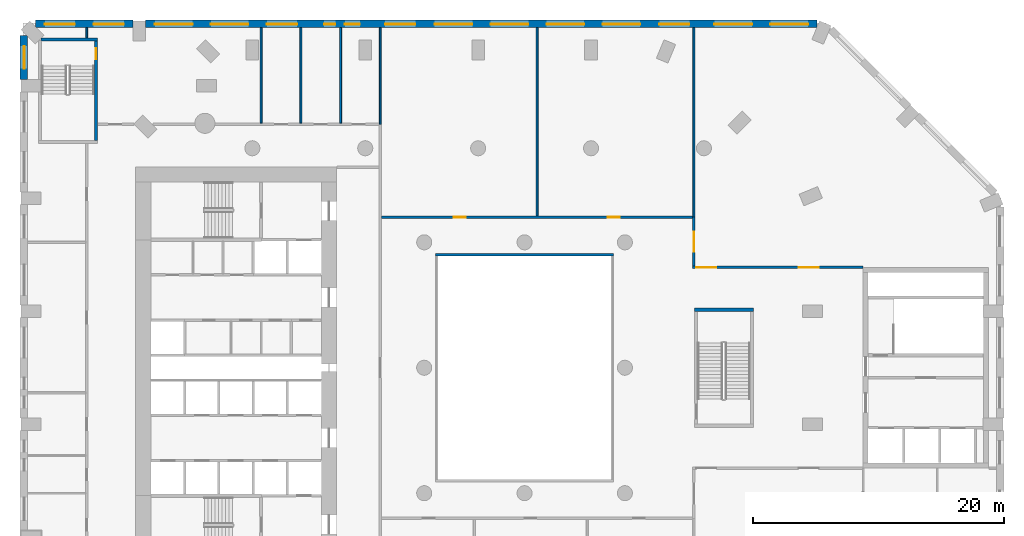
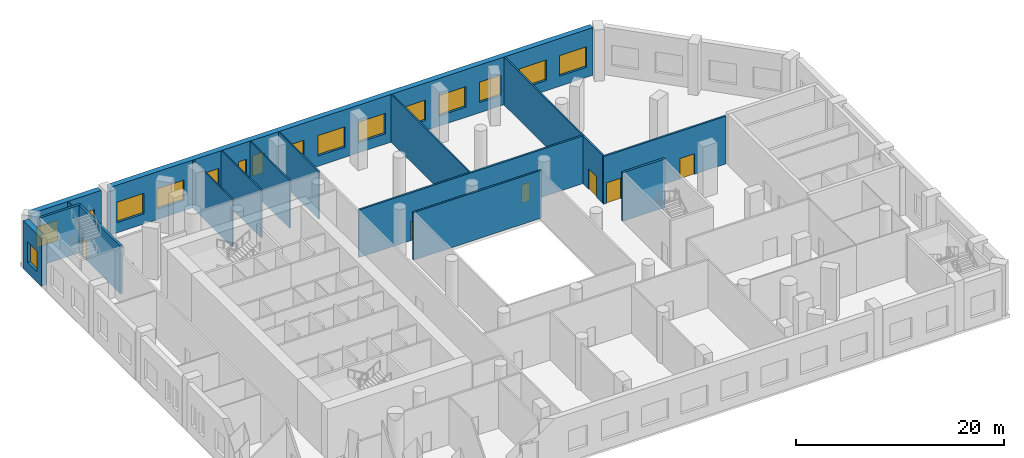
# One storey, part 7 of 19: 17 walls, 16 windows, 6 doors, 22 openings.
"""IFC4 building model written with IfcOpenShell, lengths in metres."""

from ifc_helpers import new_model, si_unit, direction, frame, frame_2d, origin, place, context, subcontext, project, spatial, rectangle, extrude, material, layer, layer_set, type_object, element, fill, save


model = new_model("IFC4")

# Units and contexts
model_context = context("Model", 3, precision=1e-05, world=origin(), true_north=direction((0.0, 1.0)))
body_context = subcontext(model_context, "Body", "Model", "MODEL_VIEW")
ifc_project = project(units=[si_unit("LENGTHUNIT", "METRE"), si_unit("AREAUNIT", "SQUARE_METRE"), si_unit("VOLUMEUNIT", "CUBIC_METRE"), si_unit("PLANEANGLEUNIT", "RADIAN"), si_unit("MASSUNIT", "GRAM", prefix="KILO")], contexts=[model_context])

# Site, building, storey
site_placement = place(None, origin())
site = spatial("IfcSite", under=ifc_project, at=site_placement, CompositionType="ELEMENT")
building_placement = place(site_placement, origin())
building = spatial("IfcBuilding", under=site, at=building_placement, Name="Cypress Arch Tower", CompositionType="ELEMENT")
storey_placement = place(building_placement, frame((0.0, 0.0, 44.0)))
storey = spatial("IfcBuildingStorey", under=building, at=storey_placement, Name="L05", CompositionType="ELEMENT", Elevation=44.0)

# Wall, openings, windows
ifc_material_1 = material(Name="Brick (red buff blend) on blockwork backing", Category="masonry")
ifc_layer_1 = layer(ifc_material_1, 0.60009765625)
ifc_layer_set_1 = layer_set([ifc_layer_1], Name="Brick base wall BW600")
wall_type_1 = type_object("IfcWallType", Name="Brick base wall BW600", PredefinedType="ELEMENTEDWALL", material=ifc_layer_set_1)
wall_1_placement = place(storey_placement, frame((24.33447265625, 27.425048828125, 0.0), z_axis=(0.0, 0.0, 1.0), x_axis=(-1.0, 0.0, 0.0)))
wall_1 = element("IfcWall", 1, at=wall_1_placement, inside=storey, type_object=wall_type_1, Name="Brick wall L05 P03.0", PredefinedType="ELEMENTEDWALL", context=body_context, shape_type="SweptSolid", body=[
    extrude(rectangle(XDim=53.534423828125, YDim=0.60009765625, at=frame_2d((26.76708984375, 0.0))), origin(), (0.0, 0.0, 1.0), 5.595947265625),
])
opening_1_placement = place(wall_1_placement, frame((0.730712890625, 0.0, 1.199951171875)))
opening_1 = element("IfcOpeningElement", 2, at=opening_1_placement, cuts=wall_1, Name="Opening W300P", PredefinedType="OPENING", context=body_context, shape_type="SweptSolid", body=[
    extrude(rectangle(XDim=3.0, YDim=2.39990234375, at=frame_2d((1.5, 1.199951171875))), frame((0.0, 0.31005859375, 0.0), z_axis=(0.0, -1.0, 0.0), x_axis=(1.0, 0.0, 0.0)), (0.0, 0.0, 1.0), 0.6201171875),
])
opening_2_placement = place(wall_1_placement, frame((5.19189453125, 0.0, 1.199951171875)))
opening_2 = element("IfcOpeningElement", 3, at=opening_2_placement, cuts=wall_1, Name="Opening W300P", PredefinedType="OPENING", context=body_context, shape_type="SweptSolid", body=[
    extrude(rectangle(XDim=3.0, YDim=2.39990234375, at=frame_2d((1.5, 1.199951171875))), frame((0.0, 0.31005859375, 0.0), z_axis=(0.0, -1.0, 0.0), x_axis=(1.0, 0.0, 0.0)), (0.0, 0.0, 1.0), 0.6201171875),
])
opening_3_placement = place(wall_1_placement, frame((14.1142578125, 0.0, 1.199951171875)))
opening_3 = element("IfcOpeningElement", 4, at=opening_3_placement, cuts=wall_1, Name="Opening W300P", PredefinedType="OPENING", context=body_context, shape_type="SweptSolid", body=[
    extrude(rectangle(XDim=3.0, YDim=2.39990234375, at=frame_2d((1.5, 1.199951171875))), frame((0.0, 0.31005859375, 0.0), z_axis=(0.0, -1.0, 0.0), x_axis=(1.0, 0.0, 0.0)), (0.0, 0.0, 1.0), 0.6201171875),
])
opening_4_placement = place(wall_1_placement, frame((18.575439453125, 0.0, 1.199951171875)))
opening_4 = element("IfcOpeningElement", 5, at=opening_4_placement, cuts=wall_1, Name="Opening W300P", PredefinedType="OPENING", context=body_context, shape_type="SweptSolid", body=[
    extrude(rectangle(XDim=3.0, YDim=2.39990234375, at=frame_2d((1.5, 1.199951171875))), frame((0.0, 0.31005859375, 0.0), z_axis=(0.0, -1.0, 0.0), x_axis=(1.0, 0.0, 0.0)), (0.0, 0.0, 1.0), 0.6201171875),
])
opening_5_placement = place(wall_1_placement, frame((23.03662109375, 0.0, 1.199951171875)))
opening_5 = element("IfcOpeningElement", 6, at=opening_5_placement, cuts=wall_1, Name="Opening W300P", PredefinedType="OPENING", context=body_context, shape_type="SweptSolid", body=[
    extrude(rectangle(XDim=3.0, YDim=2.39990234375, at=frame_2d((1.5, 1.199951171875))), frame((0.0, 0.31005859375, 0.0), z_axis=(0.0, -1.0, 0.0), x_axis=(1.0, 0.0, 0.0)), (0.0, 0.0, 1.0), 0.6201171875),
])
opening_6_placement = place(wall_1_placement, frame((27.497802734375, 0.0, 1.199951171875)))
opening_6 = element("IfcOpeningElement", 7, at=opening_6_placement, cuts=wall_1, Name="Opening W300P", PredefinedType="OPENING", context=body_context, shape_type="SweptSolid", body=[
    extrude(rectangle(XDim=3.0, YDim=2.39990234375, at=frame_2d((1.5, 1.199951171875))), frame((0.0, 0.31005859375, 0.0), z_axis=(0.0, -1.0, 0.0), x_axis=(1.0, 0.0, 0.0)), (0.0, 0.0, 1.0), 0.6201171875),
])
opening_7_placement = place(wall_1_placement, frame((45.3427734375, 0.0, 1.199951171875)))
opening_7 = element("IfcOpeningElement", 8, at=opening_7_placement, cuts=wall_1, Name="Opening W300P", PredefinedType="OPENING", context=body_context, shape_type="SweptSolid", body=[
    extrude(rectangle(XDim=3.0, YDim=2.39990234375, at=frame_2d((1.5, 1.199951171875))), frame((0.0, 0.31005859375, 0.0), z_axis=(0.0, -1.0, 0.0), x_axis=(1.0, 0.0, 0.0)), (0.0, 0.0, 1.0), 0.6201171875),
])
opening_8_placement = place(wall_1_placement, frame((49.803955078125, 0.0, 1.199951171875)))
opening_8 = element("IfcOpeningElement", 9, at=opening_8_placement, cuts=wall_1, Name="Opening W300P", PredefinedType="OPENING", context=body_context, shape_type="SweptSolid", body=[
    extrude(rectangle(XDim=3.0, YDim=2.39990234375, at=frame_2d((1.5, 1.199951171875))), frame((0.0, 0.31005859375, 0.0), z_axis=(0.0, -1.0, 0.0), x_axis=(1.0, 0.0, 0.0)), (0.0, 0.0, 1.0), 0.6201171875),
])
opening_9_placement = place(wall_1_placement, frame((10.19384765625, 0.0, 1.199951171875)))
opening_9 = element("IfcOpeningElement", 10, at=opening_9_placement, cuts=wall_1, Name="Opening W240P", PredefinedType="OPENING", context=body_context, shape_type="SweptSolid", body=[
    extrude(rectangle(XDim=2.39990234375, YDim=2.39990234375, at=frame_2d((1.199951171875, 1.199951171875))), frame((0.0, 0.31005859375, 0.0), z_axis=(0.0, -1.0, 0.0), x_axis=(1.0, 0.0, 0.0)), (0.0, 0.0, 1.0), 0.6201171875),
])
opening_10_placement = place(wall_1_placement, frame((32.046875, 0.0, 1.199951171875)))
opening_10 = element("IfcOpeningElement", 11, at=opening_10_placement, cuts=wall_1, Name="Opening W240P", PredefinedType="OPENING", context=body_context, shape_type="SweptSolid", body=[
    extrude(rectangle(XDim=2.39990234375, YDim=2.39990234375, at=frame_2d((1.199951171875, 1.199951171875))), frame((0.0, 0.31005859375, 0.0), z_axis=(0.0, -1.0, 0.0), x_axis=(1.0, 0.0, 0.0)), (0.0, 0.0, 1.0), 0.6201171875),
])
opening_11_placement = place(wall_1_placement, frame((36.460693359375, 0.0, 1.199951171875)))
opening_11 = element("IfcOpeningElement", 12, at=opening_11_placement, cuts=wall_1, Name="Opening W120P", PredefinedType="OPENING", context=body_context, shape_type="SweptSolid", body=[
    extrude(rectangle(XDim=1.199951171875, YDim=2.39990234375, at=frame_2d((0.60009765625, 1.199951171875))), frame((0.0, 0.31005859375, 0.0), z_axis=(0.0, -1.0, 0.0), x_axis=(1.0, 0.0, 0.0)), (0.0, 0.0, 1.0), 0.6201171875),
])
opening_12_placement = place(wall_1_placement, frame((38.41064453125, 0.0, 1.199951171875)))
opening_12 = element("IfcOpeningElement", 13, at=opening_12_placement, cuts=wall_1, Name="Opening W090P", PredefinedType="OPENING", context=body_context, shape_type="SweptSolid", body=[
    extrude(rectangle(XDim=0.89990234375, YDim=2.39990234375, at=frame_2d((0.449951171875, 1.199951171875))), frame((0.0, 0.31005859375, 0.0), z_axis=(0.0, -1.0, 0.0), x_axis=(1.0, 0.0, 0.0)), (0.0, 0.0, 1.0), 0.6201171875),
])
opening_13_placement = place(wall_1_placement, frame((41.474609375, 0.0, 1.199951171875)))
opening_13 = element("IfcOpeningElement", 14, at=opening_13_placement, cuts=wall_1, Name="Opening W240P", PredefinedType="OPENING", context=body_context, shape_type="SweptSolid", body=[
    extrude(rectangle(XDim=2.39990234375, YDim=2.39990234375, at=frame_2d((1.199951171875, 1.199951171875))), frame((0.0, 0.31005859375, 0.0), z_axis=(0.0, -1.0, 0.0), x_axis=(1.0, 0.0, 0.0)), (0.0, 0.0, 1.0), 0.6201171875),
])
ifc_material_2 = material(Name="Anodised aluminium, bronze finish, clear low-emissivity double glazing", Category="aluminium")
window_type_1 = type_object("IfcWindowType", Name="Window Podium 1200x2400", PartitioningType="SINGLE_PANEL", PredefinedType="WINDOW", material=ifc_material_2)
window_1_placement = place(opening_11_placement, origin())
window_1 = element("IfcWindow", 15, at=window_1_placement, inside=storey, type_object=window_type_1, Name="Window L05 P03.0.9", OverallHeight=2.39990234375, OverallWidth=1.199951171875, PartitioningType="SINGLE_PANEL", PredefinedType="WINDOW", context=body_context, shape_type="SweptSolid", body=[
    extrude(rectangle(XDim=1.199951171875, YDim=2.39990234375, at=frame_2d((0.60009765625, 1.199951171875))), frame((0.0, 0.06005859375, 0.0), z_axis=(0.0, -1.0, 0.0), x_axis=(1.0, 0.0, 0.0)), (0.0, 0.0, 1.0), 0.06005859375),
])
fill(opening_11, window_1)
ifc_material_3 = material(Name="Anodised aluminium, bronze finish, clear low-emissivity double glazing", Category="aluminium")
window_type_2 = type_object("IfcWindowType", Name="Window Podium 2400x2400", PartitioningType="SINGLE_PANEL", PredefinedType="WINDOW", material=ifc_material_3)
window_2_placement = place(opening_9_placement, origin())
window_2 = element("IfcWindow", 16, at=window_2_placement, inside=storey, type_object=window_type_2, Name="Window L05 P03.0.3", OverallHeight=2.39990234375, OverallWidth=2.39990234375, PartitioningType="SINGLE_PANEL", PredefinedType="WINDOW", context=body_context, shape_type="SweptSolid", body=[
    extrude(rectangle(XDim=2.39990234375, YDim=2.39990234375, at=frame_2d((1.199951171875, 1.199951171875))), frame((0.0, 0.06005859375, 0.0), z_axis=(0.0, -1.0, 0.0), x_axis=(1.0, 0.0, 0.0)), (0.0, 0.0, 1.0), 0.06005859375),
])
fill(opening_9, window_2)
window_3_placement = place(opening_10_placement, origin())
window_3 = element("IfcWindow", 17, at=window_3_placement, inside=storey, type_object=window_type_2, Name="Window L05 P03.0.8", OverallHeight=2.39990234375, OverallWidth=2.39990234375, PartitioningType="SINGLE_PANEL", PredefinedType="WINDOW", context=body_context, shape_type="SweptSolid", body=[
    extrude(rectangle(XDim=2.39990234375, YDim=2.39990234375, at=frame_2d((1.199951171875, 1.199951171875))), frame((0.0, 0.06005859375, 0.0), z_axis=(0.0, -1.0, 0.0), x_axis=(1.0, 0.0, 0.0)), (0.0, 0.0, 1.0), 0.06005859375),
])
fill(opening_10, window_3)
window_4_placement = place(opening_13_placement, origin())
window_4 = element("IfcWindow", 18, at=window_4_placement, inside=storey, type_object=window_type_2, Name="Window L05 P03.0.10", OverallHeight=2.39990234375, OverallWidth=2.39990234375, PartitioningType="SINGLE_PANEL", PredefinedType="WINDOW", context=body_context, shape_type="SweptSolid", body=[
    extrude(rectangle(XDim=2.39990234375, YDim=2.39990234375, at=frame_2d((1.199951171875, 1.199951171875))), frame((0.0, 0.06005859375, 0.0), z_axis=(0.0, -1.0, 0.0), x_axis=(1.0, 0.0, 0.0)), (0.0, 0.0, 1.0), 0.06005859375),
])
fill(opening_13, window_4)
ifc_material_4 = material(Name="Anodised aluminium, bronze finish, clear low-emissivity double glazing", Category="aluminium")
window_type_3 = type_object("IfcWindowType", Name="Window Podium 3000x2400", PartitioningType="SINGLE_PANEL", PredefinedType="WINDOW", material=ifc_material_4)
window_5_placement = place(opening_1_placement, origin())
window_5 = element("IfcWindow", 19, at=window_5_placement, inside=storey, type_object=window_type_3, Name="Window L05 P03.0.1", OverallHeight=2.39990234375, OverallWidth=3.0, PartitioningType="SINGLE_PANEL", PredefinedType="WINDOW", context=body_context, shape_type="SweptSolid", body=[
    extrude(rectangle(XDim=3.0, YDim=2.39990234375, at=frame_2d((1.5, 1.199951171875))), frame((0.0, 0.06005859375, 0.0), z_axis=(0.0, -1.0, 0.0), x_axis=(1.0, 0.0, 0.0)), (0.0, 0.0, 1.0), 0.06005859375),
])
fill(opening_1, window_5)
window_6_placement = place(opening_2_placement, origin())
window_6 = element("IfcWindow", 20, at=window_6_placement, inside=storey, type_object=window_type_3, Name="Window L05 P03.0.2", OverallHeight=2.39990234375, OverallWidth=3.0, PartitioningType="SINGLE_PANEL", PredefinedType="WINDOW", context=body_context, shape_type="SweptSolid", body=[
    extrude(rectangle(XDim=3.0, YDim=2.39990234375, at=frame_2d((1.5, 1.199951171875))), frame((0.0, 0.06005859375, 0.0), z_axis=(0.0, -1.0, 0.0), x_axis=(1.0, 0.0, 0.0)), (0.0, 0.0, 1.0), 0.06005859375),
])
fill(opening_2, window_6)
window_7_placement = place(opening_3_placement, origin())
window_7 = element("IfcWindow", 21, at=window_7_placement, inside=storey, type_object=window_type_3, Name="Window L05 P03.0.4", OverallHeight=2.39990234375, OverallWidth=3.0, PartitioningType="SINGLE_PANEL", PredefinedType="WINDOW", context=body_context, shape_type="SweptSolid", body=[
    extrude(rectangle(XDim=3.0, YDim=2.39990234375, at=frame_2d((1.5, 1.199951171875))), frame((0.0, 0.06005859375, 0.0), z_axis=(0.0, -1.0, 0.0), x_axis=(1.0, 0.0, 0.0)), (0.0, 0.0, 1.0), 0.06005859375),
])
fill(opening_3, window_7)
window_8_placement = place(opening_4_placement, origin())
window_8 = element("IfcWindow", 22, at=window_8_placement, inside=storey, type_object=window_type_3, Name="Window L05 P03.0.5", OverallHeight=2.39990234375, OverallWidth=3.0, PartitioningType="SINGLE_PANEL", PredefinedType="WINDOW", context=body_context, shape_type="SweptSolid", body=[
    extrude(rectangle(XDim=3.0, YDim=2.39990234375, at=frame_2d((1.5, 1.199951171875))), frame((0.0, 0.06005859375, 0.0), z_axis=(0.0, -1.0, 0.0), x_axis=(1.0, 0.0, 0.0)), (0.0, 0.0, 1.0), 0.06005859375),
])
fill(opening_4, window_8)
window_9_placement = place(opening_5_placement, origin())
window_9 = element("IfcWindow", 23, at=window_9_placement, inside=storey, type_object=window_type_3, Name="Window L05 P03.0.6", OverallHeight=2.39990234375, OverallWidth=3.0, PartitioningType="SINGLE_PANEL", PredefinedType="WINDOW", context=body_context, shape_type="SweptSolid", body=[
    extrude(rectangle(XDim=3.0, YDim=2.39990234375, at=frame_2d((1.5, 1.199951171875))), frame((0.0, 0.06005859375, 0.0), z_axis=(0.0, -1.0, 0.0), x_axis=(1.0, 0.0, 0.0)), (0.0, 0.0, 1.0), 0.06005859375),
])
fill(opening_5, window_9)
window_10_placement = place(opening_6_placement, origin())
window_10 = element("IfcWindow", 24, at=window_10_placement, inside=storey, type_object=window_type_3, Name="Window L05 P03.0.7", OverallHeight=2.39990234375, OverallWidth=3.0, PartitioningType="SINGLE_PANEL", PredefinedType="WINDOW", context=body_context, shape_type="SweptSolid", body=[
    extrude(rectangle(XDim=3.0, YDim=2.39990234375, at=frame_2d((1.5, 1.199951171875))), frame((0.0, 0.06005859375, 0.0), z_axis=(0.0, -1.0, 0.0), x_axis=(1.0, 0.0, 0.0)), (0.0, 0.0, 1.0), 0.06005859375),
])
fill(opening_6, window_10)
window_11_placement = place(opening_7_placement, origin())
window_11 = element("IfcWindow", 25, at=window_11_placement, inside=storey, type_object=window_type_3, Name="Window L05 P03.0.11", OverallHeight=2.39990234375, OverallWidth=3.0, PartitioningType="SINGLE_PANEL", PredefinedType="WINDOW", context=body_context, shape_type="SweptSolid", body=[
    extrude(rectangle(XDim=3.0, YDim=2.39990234375, at=frame_2d((1.5, 1.199951171875))), frame((0.0, 0.06005859375, 0.0), z_axis=(0.0, -1.0, 0.0), x_axis=(1.0, 0.0, 0.0)), (0.0, 0.0, 1.0), 0.06005859375),
])
fill(opening_7, window_11)
window_12_placement = place(opening_8_placement, origin())
window_12 = element("IfcWindow", 26, at=window_12_placement, inside=storey, type_object=window_type_3, Name="Window L05 P03.0.12", OverallHeight=2.39990234375, OverallWidth=3.0, PartitioningType="SINGLE_PANEL", PredefinedType="WINDOW", context=body_context, shape_type="SweptSolid", body=[
    extrude(rectangle(XDim=3.0, YDim=2.39990234375, at=frame_2d((1.5, 1.199951171875))), frame((0.0, 0.06005859375, 0.0), z_axis=(0.0, -1.0, 0.0), x_axis=(1.0, 0.0, 0.0)), (0.0, 0.0, 1.0), 0.06005859375),
])
fill(opening_8, window_12)
ifc_material_5 = material(Name="Anodised aluminium, bronze finish, clear low-emissivity double glazing", Category="aluminium")
window_type_4 = type_object("IfcWindowType", Name="Window Podium 900x2400", PartitioningType="SINGLE_PANEL", PredefinedType="WINDOW", material=ifc_material_5)
window_13_placement = place(opening_12_placement, origin())
window_13 = element("IfcWindow", 27, at=window_13_placement, inside=storey, type_object=window_type_4, Name="Window L05 P03.0.9b", OverallHeight=2.39990234375, OverallWidth=0.89990234375, PartitioningType="SINGLE_PANEL", PredefinedType="WINDOW", context=body_context, shape_type="SweptSolid", body=[
    extrude(rectangle(XDim=0.89990234375, YDim=2.39990234375, at=frame_2d((0.449951171875, 1.199951171875))), frame((0.0, 0.06005859375, 0.0), z_axis=(0.0, -1.0, 0.0), x_axis=(1.0, 0.0, 0.0)), (0.0, 0.0, 1.0), 0.06005859375),
])
fill(opening_12, window_13)

wall_2_placement = place(storey_placement, frame((-30.199951171875, 27.425048828125, 0.0), z_axis=(0.0, 0.0, 1.0), x_axis=(-1.0, 0.0, 0.0)))
wall_2 = element("IfcWall", 28, at=wall_2_placement, inside=storey, type_object=wall_type_1, Name="Brick wall L05 P03.6", PredefinedType="ELEMENTEDWALL", context=body_context, shape_type="SweptSolid", body=[
    extrude(rectangle(XDim=7.79296875, YDim=0.60009765625, at=frame_2d((3.896484375, 0.0))), origin(), (0.0, 0.0, 1.0), 5.595947265625),
])
opening_14_placement = place(wall_2_placement, frame((0.748291015625, 0.0, 1.199951171875)))
opening_14 = element("IfcOpeningElement", 29, at=opening_14_placement, cuts=wall_2, Name="Opening W240P", PredefinedType="OPENING", context=body_context, shape_type="SweptSolid", body=[
    extrude(rectangle(XDim=2.39990234375, YDim=2.39990234375, at=frame_2d((1.199951171875, 1.199951171875))), frame((0.0, 0.31005859375, 0.0), z_axis=(0.0, -1.0, 0.0), x_axis=(1.0, 0.0, 0.0)), (0.0, 0.0, 1.0), 0.6201171875),
])
opening_15_placement = place(wall_2_placement, frame((4.644775390625, 0.0, 1.199951171875)))
opening_15 = element("IfcOpeningElement", 30, at=opening_15_placement, cuts=wall_2, Name="Opening W240P", PredefinedType="OPENING", context=body_context, shape_type="SweptSolid", body=[
    extrude(rectangle(XDim=2.39990234375, YDim=2.39990234375, at=frame_2d((1.199951171875, 1.199951171875))), frame((0.0, 0.31005859375, 0.0), z_axis=(0.0, -1.0, 0.0), x_axis=(1.0, 0.0, 0.0)), (0.0, 0.0, 1.0), 0.6201171875),
])
window_14_placement = place(opening_14_placement, origin())
window_14 = element("IfcWindow", 31, at=window_14_placement, inside=storey, type_object=window_type_2, Name="Window L05 P03.6.1", OverallHeight=2.39990234375, OverallWidth=2.39990234375, PartitioningType="SINGLE_PANEL", PredefinedType="WINDOW", context=body_context, shape_type="SweptSolid", body=[
    extrude(rectangle(XDim=2.39990234375, YDim=2.39990234375, at=frame_2d((1.199951171875, 1.199951171875))), frame((0.0, 0.06005859375, 0.0), z_axis=(0.0, -1.0, 0.0), x_axis=(1.0, 0.0, 0.0)), (0.0, 0.0, 1.0), 0.06005859375),
])
fill(opening_14, window_14)
window_15_placement = place(opening_15_placement, origin())
window_15 = element("IfcWindow", 32, at=window_15_placement, inside=storey, type_object=window_type_2, Name="Window L05 P03.6.2", OverallHeight=2.39990234375, OverallWidth=2.39990234375, PartitioningType="SINGLE_PANEL", PredefinedType="WINDOW", context=body_context, shape_type="SweptSolid", body=[
    extrude(rectangle(XDim=2.39990234375, YDim=2.39990234375, at=frame_2d((1.199951171875, 1.199951171875))), frame((0.0, 0.06005859375, 0.0), z_axis=(0.0, -1.0, 0.0), x_axis=(1.0, 0.0, 0.0)), (0.0, 0.0, 1.0), 0.06005859375),
])
fill(opening_15, window_15)

# Wall, opening, window
wall_3_placement = place(storey_placement, frame((-38.925048828125, 26.492919921875, 0.0), z_axis=(0.0, 0.0, 1.0), x_axis=(0.0, -1.0, 0.0)))
wall_3 = element("IfcWall", 33, at=wall_3_placement, inside=storey, type_object=wall_type_1, Name="Brick wall L05 P04.0", PredefinedType="ELEMENTEDWALL", context=body_context, shape_type="SweptSolid", body=[
    extrude(rectangle(XDim=3.492919921875, YDim=0.60009765625, at=frame_2d((1.74658203125, 0.0))), origin(), (0.0, 0.0, 1.0), 5.595947265625),
])
opening_16_placement = place(wall_3_placement, frame((0.846435546875, 0.0, 1.199951171875)))
opening_16 = element("IfcOpeningElement", 34, at=opening_16_placement, cuts=wall_3, Name="Opening W180P", PredefinedType="OPENING", context=body_context, shape_type="SweptSolid", body=[
    extrude(rectangle(XDim=1.800048828125, YDim=2.39990234375, at=frame_2d((0.89990234375, 1.199951171875))), frame((0.0, 0.31005859375, 0.0), z_axis=(0.0, -1.0, 0.0), x_axis=(1.0, 0.0, 0.0)), (0.0, 0.0, 1.0), 0.6201171875),
])
ifc_material_6 = material(Name="Anodised aluminium, bronze finish, clear low-emissivity double glazing", Category="aluminium")
window_type_5 = type_object("IfcWindowType", Name="Window Podium 1800x2400", PartitioningType="SINGLE_PANEL", PredefinedType="WINDOW", material=ifc_material_6)
window_16_placement = place(opening_16_placement, origin())
window_16 = element("IfcWindow", 35, at=window_16_placement, inside=storey, type_object=window_type_5, Name="Window L05 P04.0.1", OverallHeight=2.39990234375, OverallWidth=1.800048828125, PartitioningType="SINGLE_PANEL", PredefinedType="WINDOW", context=body_context, shape_type="SweptSolid", body=[
    extrude(rectangle(XDim=1.800048828125, YDim=2.39990234375, at=frame_2d((0.89990234375, 1.199951171875))), frame((0.0, 0.06005859375, 0.0), z_axis=(0.0, -1.0, 0.0), x_axis=(1.0, 0.0, 0.0)), (0.0, 0.0, 1.0), 0.06005859375),
])
fill(opening_16, window_16)

# Wall, openings, doors
ifc_material_7 = material(Name="Concrete blockwork, plastered, rated", Category="masonry")
ifc_layer_2 = layer(ifc_material_7, 0.199951171875)
ifc_layer_set_2 = layer_set([ifc_layer_2], Name="Corridor wall FW200")
wall_type_2 = type_object("IfcWallType", Name="Corridor wall FW200", PredefinedType="PARTITIONING", material=ifc_layer_set_2)
wall_4_placement = place(storey_placement, frame((-10.39990234375, 12.0, 0.0), z_axis=(0.0, 0.0, 1.0), x_axis=(1.0, 0.0, 0.0)))
wall_4 = element("IfcWall", 36, at=wall_4_placement, inside=storey, type_object=wall_type_2, Name="Corridor wall", PredefinedType="PARTITIONING", context=body_context, shape_type="SweptSolid", body=[
    extrude(rectangle(XDim=24.7998046875, YDim=0.199951171875, at=frame_2d((12.39990234375, 0.0))), origin(), (0.0, 0.0, 1.0), 5.595947265625),
])
opening_17_placement = place(wall_4_placement, frame((5.75, 0.0, 0.0)))
opening_17 = element("IfcOpeningElement", 37, at=opening_17_placement, cuts=wall_4, Name="Opening D02", PredefinedType="OPENING", context=body_context, shape_type="SweptSolid", body=[
    extrude(rectangle(XDim=0.949951171875, YDim=2.199951171875, at=frame_2d((0.47509765625, 1.10009765625))), frame((0.0, 0.10986328125, 0.0), z_axis=(0.0, -1.0, 0.0), x_axis=(1.0, 0.0, 0.0)), (0.0, 0.0, 1.0), 0.219970703125),
])
opening_18_placement = place(wall_4_placement, frame((18.050048828125, 0.0, 0.0)))
opening_18 = element("IfcOpeningElement", 38, at=opening_18_placement, cuts=wall_4, Name="Opening D02", PredefinedType="OPENING", context=body_context, shape_type="SweptSolid", body=[
    extrude(rectangle(XDim=0.949951171875, YDim=2.199951171875, at=frame_2d((0.47509765625, 1.10009765625))), frame((0.0, 0.10986328125, 0.0), z_axis=(0.0, -1.0, 0.0), x_axis=(1.0, 0.0, 0.0)), (0.0, 0.0, 1.0), 0.219970703125),
])
ifc_material_8 = material(Name="Timber flush door, fire resisting", Category="wood")
door_type_1 = type_object("IfcDoorType", Name="Room door D02 950x2200", OperationType="SINGLE_SWING_LEFT", PredefinedType="DOOR", material=ifc_material_8)
door_1_placement = place(opening_17_placement, origin())
door_1 = element("IfcDoor", 39, at=door_1_placement, inside=storey, type_object=door_type_1, Name="Room door", OperationType="SINGLE_SWING_LEFT", OverallHeight=2.199951171875, OverallWidth=0.949951171875, PredefinedType="DOOR", context=body_context, shape_type="SweptSolid", body=[
    extrude(rectangle(XDim=0.949951171875, YDim=2.199951171875, at=frame_2d((0.47509765625, 1.10009765625))), frame((0.0, 0.02490234375, 0.0), z_axis=(0.0, -1.0, 0.0), x_axis=(1.0, 0.0, 0.0)), (0.0, 0.0, 1.0), 0.050048828125),
])
fill(opening_17, door_1)
door_2_placement = place(opening_18_placement, origin())
door_2 = element("IfcDoor", 40, at=door_2_placement, inside=storey, type_object=door_type_1, Name="Room door", OperationType="SINGLE_SWING_RIGHT", OverallHeight=2.199951171875, OverallWidth=0.949951171875, PredefinedType="DOOR", context=body_context, shape_type="SweptSolid", body=[
    extrude(rectangle(XDim=0.949951171875, YDim=2.199951171875, at=frame_2d((0.47509765625, 1.10009765625))), frame((0.0, 0.02490234375, 0.0), z_axis=(0.0, -1.0, 0.0), x_axis=(1.0, 0.0, 0.0)), (0.0, 0.0, 1.0), 0.050048828125),
])
fill(opening_18, door_2)

# Wall
wall_5_placement = place(storey_placement, frame((-6.10009765625, 9.0, 0.0), z_axis=(0.0, 0.0, 1.0), x_axis=(1.0, 0.0, 0.0)))
element("IfcWall", 41, at=wall_5_placement, inside=storey, type_object=wall_type_2, Name="Corridor wall", PredefinedType="PARTITIONING", context=body_context, shape_type="SweptSolid", body=[
    extrude(rectangle(XDim=14.2001953125, YDim=0.199951171875, at=frame_2d((7.10009765625, 0.0))), origin(), (0.0, 0.0, 1.0), 5.595947265625),
])

# Wall, opening, door
wall_6_placement = place(storey_placement, frame((14.5, 8.10009765625, 0.0), z_axis=(0.0, 0.0, 1.0), x_axis=(0.0, 1.0, 0.0)))
wall_6 = element("IfcWall", 42, at=wall_6_placement, inside=storey, type_object=wall_type_2, Name="Corridor wall", PredefinedType="PARTITIONING", context=body_context, shape_type="SweptSolid", body=[
    extrude(rectangle(XDim=3.89990234375, YDim=0.199951171875, at=frame_2d((1.949951171875, 0.0))), origin(), (0.0, 0.0, 1.0), 5.595947265625),
])
opening_19_placement = place(wall_6_placement, frame((1.14990234375, 0.0, 0.0)))
opening_19 = element("IfcOpeningElement", 43, at=opening_19_placement, cuts=wall_6, Name="Opening D10", PredefinedType="OPENING", context=body_context, shape_type="SweptSolid", body=[
    extrude(rectangle(XDim=1.60009765625, YDim=2.39990234375, at=frame_2d((0.800048828125, 1.199951171875))), frame((0.0, 0.10986328125, 0.0), z_axis=(0.0, -1.0, 0.0), x_axis=(1.0, 0.0, 0.0)), (0.0, 0.0, 1.0), 0.219970703125),
])
ifc_material_9 = material(Name="Black aluminium glazed door", Category="aluminium")
door_type_2 = type_object("IfcDoorType", Name="Amenity door D10 1600x2400", OperationType="DOUBLE_DOOR_SINGLE_SWING", PredefinedType="DOOR", material=ifc_material_9)
door_3_placement = place(opening_19_placement, origin())
door_3 = element("IfcDoor", 44, at=door_3_placement, inside=storey, type_object=door_type_2, Name="Amenity door", OperationType="DOUBLE_DOOR_SINGLE_SWING", OverallHeight=2.39990234375, OverallWidth=1.60009765625, PredefinedType="DOOR", context=body_context, shape_type="SweptSolid", body=[
    extrude(rectangle(XDim=1.60009765625, YDim=2.39990234375, at=frame_2d((0.800048828125, 1.199951171875))), frame((0.0, 0.02490234375, 0.0), z_axis=(0.0, -1.0, 0.0), x_axis=(1.0, 0.0, 0.0)), (0.0, 0.0, 1.0), 0.050048828125),
])
fill(opening_19, door_3)

# Wall, openings, doors
wall_7_placement = place(storey_placement, frame((14.39990234375, 8.0, 0.0), z_axis=(0.0, 0.0, 1.0), x_axis=(1.0, 0.0, 0.0)))
wall_7 = element("IfcWall", 45, at=wall_7_placement, inside=storey, type_object=wall_type_2, Name="Corridor wall", PredefinedType="PARTITIONING", context=body_context, shape_type="SweptSolid", body=[
    extrude(rectangle(XDim=13.570068359375, YDim=0.199951171875, at=frame_2d((6.78515625, 0.0))), origin(), (0.0, 0.0, 1.0), 5.595947265625),
])
opening_20_placement = place(wall_7_placement, frame((0.300048828125, 0.0, 0.0)))
opening_20 = element("IfcOpeningElement", 46, at=opening_20_placement, cuts=wall_7, Name="Opening D10", PredefinedType="OPENING", context=body_context, shape_type="SweptSolid", body=[
    extrude(rectangle(XDim=1.60009765625, YDim=2.39990234375, at=frame_2d((0.800048828125, 1.199951171875))), frame((0.0, 0.10986328125, 0.0), z_axis=(0.0, -1.0, 0.0), x_axis=(1.0, 0.0, 0.0)), (0.0, 0.0, 1.0), 0.219970703125),
])
opening_21_placement = place(wall_7_placement, frame((8.449951171875, 0.0, 0.0)))
opening_21 = element("IfcOpeningElement", 47, at=opening_21_placement, cuts=wall_7, Name="Opening D10", PredefinedType="OPENING", context=body_context, shape_type="SweptSolid", body=[
    extrude(rectangle(XDim=1.60009765625, YDim=2.39990234375, at=frame_2d((0.800048828125, 1.199951171875))), frame((0.0, 0.10986328125, 0.0), z_axis=(0.0, -1.0, 0.0), x_axis=(1.0, 0.0, 0.0)), (0.0, 0.0, 1.0), 0.219970703125),
])
door_4_placement = place(opening_20_placement, origin())
door_4 = element("IfcDoor", 48, at=door_4_placement, inside=storey, type_object=door_type_2, Name="Amenity door", OperationType="DOUBLE_DOOR_SINGLE_SWING", OverallHeight=2.39990234375, OverallWidth=1.60009765625, PredefinedType="DOOR", context=body_context, shape_type="SweptSolid", body=[
    extrude(rectangle(XDim=1.60009765625, YDim=2.39990234375, at=frame_2d((0.800048828125, 1.199951171875))), frame((0.0, 0.02490234375, 0.0), z_axis=(0.0, -1.0, 0.0), x_axis=(1.0, 0.0, 0.0)), (0.0, 0.0, 1.0), 0.050048828125),
])
fill(opening_20, door_4)
door_5_placement = place(opening_21_placement, origin())
door_5 = element("IfcDoor", 49, at=door_5_placement, inside=storey, type_object=door_type_2, Name="Amenity door", OperationType="DOUBLE_DOOR_SINGLE_SWING", OverallHeight=2.39990234375, OverallWidth=1.60009765625, PredefinedType="DOOR", context=body_context, shape_type="SweptSolid", body=[
    extrude(rectangle(XDim=1.60009765625, YDim=2.39990234375, at=frame_2d((0.800048828125, 1.199951171875))), frame((0.0, 0.02490234375, 0.0), z_axis=(0.0, -1.0, 0.0), x_axis=(1.0, 0.0, 0.0)), (0.0, 0.0, 1.0), 0.050048828125),
])
fill(opening_21, door_5)

# Walls
ifc_material_10 = material(Name="Blockwork, plastered both sides", Category="masonry")
ifc_layer_3 = layer(ifc_material_10, 0.14990234375)
ifc_layer_set_3 = layer_set([ifc_layer_3], Name="Partition PW150")
wall_type_3 = type_object("IfcWallType", Name="Partition PW150", PredefinedType="PARTITIONING", material=ifc_layer_set_3)
wall_8_placement = place(storey_placement, frame((-33.89990234375, 26.300048828125, 0.0), z_axis=(0.0, 0.0, 1.0), x_axis=(0.0, 1.0, 0.0)))
element("IfcWall", 50, at=wall_8_placement, inside=storey, type_object=wall_type_3, Name="Partition", PredefinedType="PARTITIONING", context=body_context, shape_type="SweptSolid", body=[
    extrude(rectangle(XDim=0.824951171875, YDim=0.14990234375, at=frame_2d((0.41259765625, 0.0))), origin(), (0.0, 0.0, 1.0), 5.595947265625),
])
for number, where, z_axis, x_axis, name in (
    (51, (-20.0, 19.5, 0.0), (0.0, 0.0, 1.0), (0.0, 1.0, 0.0), "Partition"),
    (52, (-16.833251953125, 19.5, 0.0), (0.0, 0.0, 1.0), (0.0, 1.0, 0.0), "Partition"),
    (53, (-13.666748046875, 19.5, 0.0), (0.0, 0.0, 1.0), (0.0, 1.0, 0.0), "Partition"),
):
    element("IfcWall", number, at=place(storey_placement, frame(where, z_axis=z_axis, x_axis=x_axis)), inside=storey, type_object=wall_type_3, Name=name, PredefinedType="PARTITIONING", context=body_context, shape_type="SweptSolid", body=[
        extrude(rectangle(XDim=7.625, YDim=0.14990234375, at=frame_2d((3.8125, 0.0))), origin(), (0.0, 0.0, 1.0), 5.595947265625),
    ])
wall_9_placement = place(storey_placement, frame((-10.5, 19.39990234375, 0.0), z_axis=(0.0, 0.0, 1.0), x_axis=(0.0, 1.0, 0.0)))
element("IfcWall", 54, at=wall_9_placement, inside=storey, type_object=wall_type_3, Name="Partition", PredefinedType="PARTITIONING", context=body_context, shape_type="SweptSolid", body=[
    extrude(rectangle(XDim=7.72509765625, YDim=0.14990234375, at=frame_2d((3.862548828125, 0.0))), origin(), (0.0, 0.0, 1.0), 5.595947265625),
])
wall_10_placement = place(storey_placement, frame((2.0, 12.10009765625, 0.0), z_axis=(0.0, 0.0, 1.0), x_axis=(0.0, 1.0, 0.0)))
element("IfcWall", 55, at=wall_10_placement, inside=storey, type_object=wall_type_3, Name="Partition", PredefinedType="PARTITIONING", context=body_context, shape_type="SweptSolid", body=[
    extrude(rectangle(XDim=15.02490234375, YDim=0.14990234375, at=frame_2d((7.512451171875, 0.0))), origin(), (0.0, 0.0, 1.0), 5.595947265625),
])
wall_11_placement = place(storey_placement, frame((14.5, 12.0, 0.0), z_axis=(0.0, 0.0, 1.0), x_axis=(0.0, 1.0, 0.0)))
element("IfcWall", 56, at=wall_11_placement, inside=storey, type_object=wall_type_3, Name="Partition", PredefinedType="PARTITIONING", context=body_context, shape_type="SweptSolid", body=[
    extrude(rectangle(XDim=15.125, YDim=0.14990234375, at=frame_2d((7.5625, 0.0))), origin(), (0.0, 0.0, 1.0), 5.595947265625),
])
ifc_material_11 = material(Name="Concrete C50/60", Category="concrete")
ifc_layer_4 = layer(ifc_material_11, 0.25)
ifc_layer_set_4 = layer_set([ifc_layer_4], Name="Stair enclosure wall SW250")
wall_type_4 = type_object("IfcWallType", Name="Stair enclosure wall SW250", PredefinedType="SHEAR", material=ifc_layer_set_4)
wall_12_placement = place(storey_placement, frame((-37.545166015625, 26.175048828125, 0.0), z_axis=(0.0, 0.0, 1.0), x_axis=(1.0, 0.0, 0.0)))
element("IfcWall", 57, at=wall_12_placement, inside=storey, type_object=wall_type_4, Name="Stair enclosure wall", PredefinedType="SHEAR", context=body_context, shape_type="SweptSolid", body=[
    extrude(rectangle(XDim=4.4951171875, YDim=0.25, at=frame_2d((2.24755859375, 0.0))), origin(), (0.0, 0.0, 1.0), 5.595947265625),
])

# Wall, opening, door
wall_13_placement = place(storey_placement, frame((-33.175048828125, 18.1298828125, 0.0), z_axis=(0.0, 0.0, 1.0), x_axis=(0.0, 1.0, 0.0)))
wall_13 = element("IfcWall", 58, at=wall_13_placement, inside=storey, type_object=wall_type_4, Name="Stair enclosure wall", PredefinedType="SHEAR", context=body_context, shape_type="SweptSolid", body=[
    extrude(rectangle(XDim=7.920166015625, YDim=0.25, at=frame_2d((3.9599609375, 0.0))), origin(), (0.0, 0.0, 1.0), 5.595947265625),
])
opening_22_placement = place(wall_13_placement, frame((6.449951171875, 0.0, 0.0)))
opening_22 = element("IfcOpeningElement", 59, at=opening_22_placement, cuts=wall_13, Name="Opening D15", PredefinedType="OPENING", context=body_context, shape_type="SweptSolid", body=[
    extrude(rectangle(XDim=0.89990234375, YDim=2.199951171875, at=frame_2d((0.449951171875, 1.10009765625))), frame((0.0, 0.135009765625, 0.0), z_axis=(0.0, -1.0, 0.0), x_axis=(1.0, 0.0, 0.0)), (0.0, 0.0, 1.0), 0.27001953125),
])
ifc_material_12 = material(Name="Steel door, fire resisting, panic bar", Category="steel")
door_type_3 = type_object("IfcDoorType", Name="Stair door D15 900x2200", OperationType="SINGLE_SWING_LEFT", PredefinedType="DOOR", material=ifc_material_12)
door_6_placement = place(opening_22_placement, origin())
door_6 = element("IfcDoor", 60, at=door_6_placement, inside=storey, type_object=door_type_3, Name="Stair door", OperationType="SINGLE_SWING_RIGHT", OverallHeight=2.199951171875, OverallWidth=0.89990234375, PredefinedType="DOOR", context=body_context, shape_type="SweptSolid", body=[
    extrude(rectangle(XDim=0.89990234375, YDim=2.199951171875, at=frame_2d((0.449951171875, 1.10009765625))), frame((0.0, 0.02490234375, 0.0), z_axis=(0.0, -1.0, 0.0), x_axis=(1.0, 0.0, 0.0)), (0.0, 0.0, 1.0), 0.050048828125),
])
fill(opening_22, door_6)

# Wall
wall_14_placement = place(storey_placement, frame((14.550048828125, 4.625, 0.0), z_axis=(0.0, 0.0, 1.0), x_axis=(1.0, 0.0, 0.0)))
element("IfcWall", 61, at=wall_14_placement, inside=storey, type_object=wall_type_4, Name="Stair enclosure wall", PredefinedType="SHEAR", context=body_context, shape_type="SweptSolid", body=[
    extrude(rectangle(XDim=4.699951171875, YDim=0.25, at=frame_2d((2.35009765625, 0.0))), origin(), (0.0, 0.0, 1.0), 5.699951171875),
])

save(model, "model.ifc")
